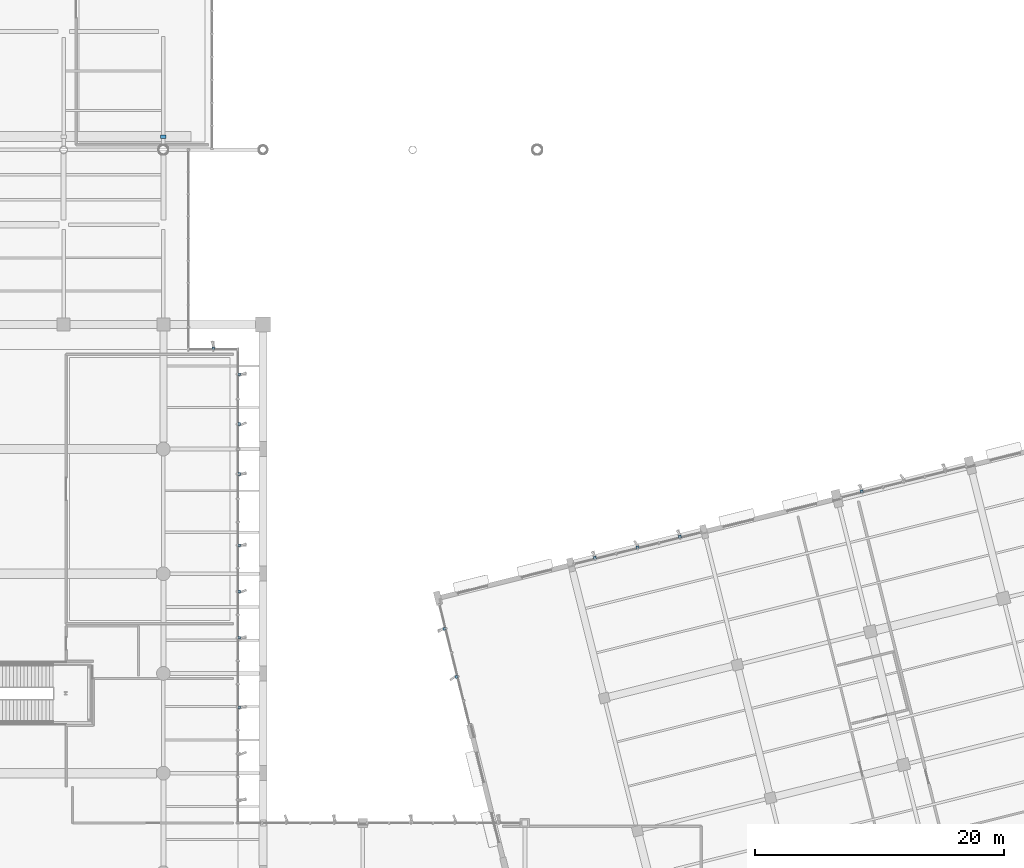
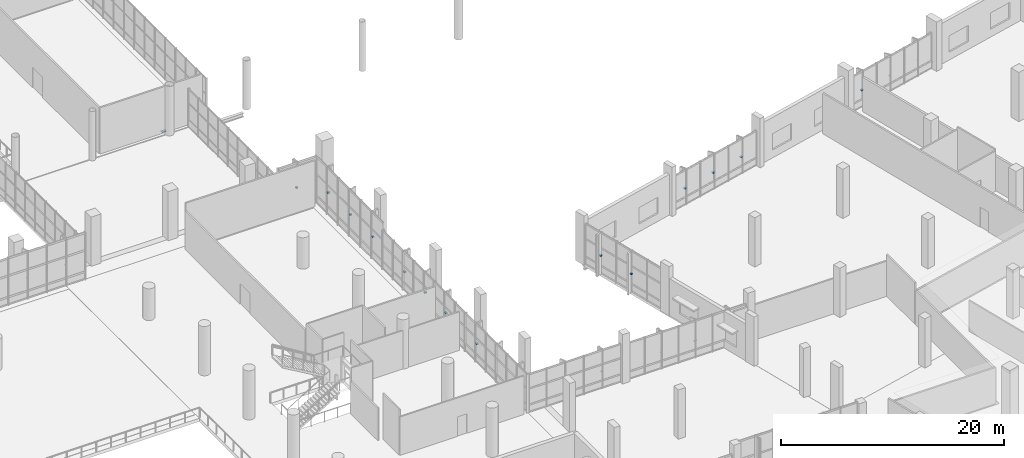
# One storey, part 157 of 176: 15 discrete accessories.
"""IFC4 building model written with IfcOpenShell, lengths in metres."""

import ifcopenshell
import ifcopenshell.guid

model = None  # the IFC model being written
_history = None  # IfcOwnerHistory: only IFC2X3 demands one
_inside = {}  # id of a spatial element -> (the spatial element, [elements in it])
_under = {}  # id of a project, library or spatial element -> (it, [spatial elements below it])
_declared = {}  # id of a project -> (the project, [libraries it declares])
_typed = {}  # id of a type object -> (the type object, [elements of that type])
_made_of = {}  # id of a material, layer set ... -> (it, [elements and type objects made of it])


def new_model(schema):
    """Start an empty IFC model of exactly this schema.

    Asked for "IFC4X3", IfcOpenShell would pick the latest addendum, in which some entities
    have other attributes; the version numbers below select the first issue.
    IFC2X3 requires an IfcOwnerHistory on every rooted entity: one is made here for all.
    """
    global model, _history
    if schema == "IFC4X3":
        model = ifcopenshell.file(schema_version=(4, 3, 0, 0))
    else:
        model = ifcopenshell.file(schema=schema)
    _inside.clear()
    _under.clear()
    _declared.clear()
    _typed.clear()
    _made_of.clear()
    _history = None
    if model.schema == "IFC2X3":
        org = make("IfcOrganization", Name="unknown")
        user = make(
            "IfcPersonAndOrganization",
            ThePerson=make("IfcPerson", FamilyName="unknown"),
            TheOrganization=org,
        )
        app = make(
            "IfcApplication",
            ApplicationDeveloper=org,
            Version="unknown",
            ApplicationFullName="unknown",
            ApplicationIdentifier="unknown",
        )
        _history = make(
            "IfcOwnerHistory",
            OwningUser=user,
            OwningApplication=app,
            ChangeAction="ADDED",
            CreationDate=0,
        )
    return model


def make(cls, **values):
    """One entity of the class cls with the attributes given. An attribute that is None is left unset."""
    return model.create_entity(
        cls, **{name: value for name, value in values.items() if value is not None}
    )


def rooted(cls, **values):
    """An entity with a GlobalId (a new one), such as an element, a storey or a relation."""
    return make(cls, GlobalId=ifcopenshell.guid.new(), OwnerHistory=_history, **values)


def si_unit(unit_type, name, prefix=None):
    """IfcSIUnit, for example si_unit("LENGTHUNIT", "METRE", prefix="MILLI")."""
    return make("IfcSIUnit", UnitType=unit_type, Prefix=prefix, Name=name)


def assignment(units):
    """IfcUnitAssignment: the units of a project."""
    return None if units is None else make("IfcUnitAssignment", Units=units)


def point(xyz):
    """IfcCartesianPoint."""
    return None if xyz is None else make("IfcCartesianPoint", Coordinates=xyz)


def direction(xyz):
    """IfcDirection."""
    return None if xyz is None else make("IfcDirection", DirectionRatios=xyz)


def frame(location, z_axis=None, x_axis=None):
    """IfcAxis2Placement3D, a coordinate frame: its origin and axes. An axis left out is left unset."""
    return make(
        "IfcAxis2Placement3D",
        Location=point(location),
        Axis=direction(z_axis),
        RefDirection=direction(x_axis),
    )


def frame_2d(location, x_axis=None):
    """IfcAxis2Placement2D, a coordinate frame in the plane: its origin and x axis."""
    return make(
        "IfcAxis2Placement2D", Location=point(location), RefDirection=direction(x_axis)
    )


def origin():
    """The frame at (0, 0, 0) with its axes left unset."""
    return frame((0.0, 0.0, 0.0))


def origin_2d():
    """The frame at (0, 0) in the plane with its x axis left unset."""
    return frame_2d((0.0, 0.0))


def place(relative_to, where):
    """IfcLocalPlacement: puts the frame where relative to a parent placement (None: the world)."""
    return make(
        "IfcLocalPlacement", PlacementRelTo=relative_to, RelativePlacement=where
    )


def context(
    kind, dimensions, precision=None, world=None, true_north=None, identifier=None
):
    """IfcGeometricRepresentationContext, for example the 3D "Model" context."""
    return make(
        "IfcGeometricRepresentationContext",
        ContextIdentifier=identifier,
        ContextType=kind,
        CoordinateSpaceDimension=dimensions,
        Precision=precision,
        WorldCoordinateSystem=world,
        TrueNorth=true_north,
    )


def subcontext(parent, identifier, kind, view, scale=None):
    """IfcGeometricRepresentationSubContext, for example "Body" below "Model"."""
    return make(
        "IfcGeometricRepresentationSubContext",
        ContextIdentifier=identifier,
        ContextType=kind,
        ParentContext=parent,
        TargetScale=scale,
        TargetView=view,
    )


def project(units=None, contexts=None):
    """IfcProject with its units and contexts."""
    return rooted(
        "IfcProject",
        Name="project",
        RepresentationContexts=contexts,
        UnitsInContext=assignment(units),
    )


def spatial(cls, under=None, at=None, **own):
    """A site, building, storey or space (cls), placed at a placement, below another one or the project."""
    s = rooted(cls, ObjectPlacement=at, **own)
    if under is not None:
        _under.setdefault(under.id(), (under, []))[1].append(s)
    return s


def profile(cls, at=None, kind="AREA", **sizes):
    """A parametric profile (cls). Its sizes go by their IFC names, for example OverallWidth=200.0."""
    return make(cls, ProfileType=kind, Position=at, **sizes)


def rectangle(**sizes):
    """IfcRectangleProfileDef."""
    return profile("IfcRectangleProfileDef", **sizes)


def extrude(swept, where, along, depth):
    """IfcExtrudedAreaSolid: the profile swept, set in the frame where, extruded along a direction by depth."""
    return make(
        "IfcExtrudedAreaSolid",
        SweptArea=swept,
        Position=where,
        ExtrudedDirection=direction(along),
        Depth=depth,
    )


def shape(context_of_items, identifier, shape_type, items):
    """IfcShapeRepresentation: the items that make up one representation, for example the "Body"."""
    return make(
        "IfcShapeRepresentation",
        ContextOfItems=context_of_items,
        RepresentationIdentifier=identifier,
        RepresentationType=shape_type,
        Items=items,
    )


def material(Name=None, Category=None):
    """IfcMaterial."""
    return make("IfcMaterial", Name=Name, Category=Category)


def made_of(thing, what):
    """Note that an element or type object is made of a material, layer set ...; save() writes the relation."""
    if what is not None:
        _made_of.setdefault(what.id(), (what, []))[1].append(thing)
    return thing


def type_object(cls, material=None, **own):
    """A type object (cls), such as IfcWallType, which elements share."""
    return made_of(rooted(cls, **own), material)


def element(
    cls,
    number,
    at=None,
    inside=None,
    cuts=None,
    type_object=None,
    material=None,
    context=None,
    identifier="Body",
    shape_type=None,
    held_by="IfcProductDefinitionShape",
    body=None,
    shapes=None,
    **own,
):
    """One element of the class cls, such as IfcWall. Its Tag is "e" and its number.

    at: its placement. inside: the storey or other place that contains it. cuts: it is an
    opening in that element (IfcRelVoidsElement). A single representation is given by context,
    identifier, shape_type and body (its items); several are given by shapes. held_by: the class
    of the entity that holds the representations. save() writes the other relations.
    """
    e = rooted(cls, Tag="e%d" % number, ObjectPlacement=at, **own)
    if body is not None:
        shapes = [shape(context, identifier, shape_type, body)]
    if shapes is not None:
        e.Representation = make(held_by, Representations=shapes)
    if inside is not None:
        _inside.setdefault(inside.id(), (inside, []))[1].append(e)
    if cuts is not None:
        rooted(
            "IfcRelVoidsElement", RelatingBuildingElement=cuts, RelatedOpeningElement=e
        )
    if type_object is not None:
        _typed.setdefault(type_object.id(), (type_object, []))[1].append(e)
    return made_of(e, material)


def aggregate(whole, parts):
    """IfcRelAggregates: a whole, such as a stair, and the parts it consists of."""
    return rooted("IfcRelAggregates", RelatingObject=whole, RelatedObjects=parts)


def save(model, path):
    """Write the relations noted so far, then the file.

    IfcRelAggregates (storeys below a building ...), IfcRelContainedInSpatialStructure (elements
    in a storey), IfcRelDefinesByType, IfcRelAssociatesMaterial and IfcRelDeclares: one each for
    every whole, place, type object, material and project.
    """
    for whole, parts in _under.values():
        aggregate(whole, parts)
    for where, things in _inside.values():
        rooted(
            "IfcRelContainedInSpatialStructure",
            RelatedElements=things,
            RelatingStructure=where,
        )
    for kind, things in _typed.values():
        rooted("IfcRelDefinesByType", RelatedObjects=things, RelatingType=kind)
    for what, things in _made_of.values():
        rooted("IfcRelAssociatesMaterial", RelatedObjects=things, RelatingMaterial=what)
    for by, libraries in _declared.values():
        rooted("IfcRelDeclares", RelatingContext=by, RelatedDefinitions=libraries)
    model.write(path)


model = new_model("IFC4")

# Units and contexts
model_context = context("Model", 3, precision=1e-05, world=origin(), true_north=direction((0.0, 1.0)))
body_context = subcontext(model_context, "Body", "Model", "MODEL_VIEW")
ifc_project = project(units=[si_unit("LENGTHUNIT", "METRE"), si_unit("AREAUNIT", "SQUARE_METRE"), si_unit("VOLUMEUNIT", "CUBIC_METRE"), si_unit("PLANEANGLEUNIT", "RADIAN"), si_unit("MASSUNIT", "GRAM", prefix="KILO")], contexts=[model_context])

# Site, building, storey
site_placement = place(None, origin())
site = spatial("IfcSite", under=ifc_project, at=site_placement, CompositionType="ELEMENT")
building_placement = place(site_placement, origin())
building = spatial("IfcBuilding", under=site, at=building_placement, Name="Khorjan Park Terminus", CompositionType="ELEMENT")
storey_placement = place(building_placement, frame((0.0, 0.0, 6.0)))
storey = spatial("IfcBuildingStorey", under=building, at=storey_placement, Name="L01", CompositionType="ELEMENT", Elevation=6.0)

# Discrete accessories
ifc_material = material(Name="Steel S355", Category="steel")
discrete_accessory_type_1 = type_object("IfcDiscreteAccessoryType", Name="ACC-BRK-FIN", PredefinedType="BRACKET", material=ifc_material)
for number, where, z_axis, x_axis, name in (
    (1, (132.0, 86.09, 2.2475), (0.0, 0.0, 1.0), (-1.0, 0.0, 0.0), "Solar fin structural bracket BK-01 (CW-V2-N-L01-08-1)"),
    (2, (134.09, 57.2857, 1.8267), (0.0, 0.0, 1.0), (0.0, 1.0, 0.0), "Solar fin structural bracket BK-01 (CW-V2-E-L01-02-5)"),
    (3, (134.09, 62.8571, 1.8492), (0.0, 0.0, 1.0), (0.0, 1.0, 0.0), "Solar fin structural bracket BK-01 (CW-V2-E-L01-03-1)"),
    (4, (134.09, 66.5714, 1.8492), (0.0, 0.0, 1.0), (0.0, 1.0, 0.0), "Solar fin structural bracket BK-01 (CW-V2-E-L01-03-3)"),
    (5, (134.09, 70.2857, 1.8492), (0.0, 0.0, 1.0), (0.0, 1.0, 0.0), "Solar fin structural bracket BK-01 (CW-V2-E-L01-03-5)"),
    (6, (134.09, 76.0, 2.2475), (0.0, 0.0, 1.0), (0.0, 1.0, 0.0), "Solar fin structural bracket BK-01 (CW-V2-E-L01-04-1)"),
    (7, (134.09, 80.0, 2.2475), (0.0, 0.0, 1.0), (0.0, 1.0, 0.0), "Solar fin structural bracket BK-01 (CW-V2-E-L01-04-3)"),
    (8, (134.09, 84.0, 2.2475), (0.0, 0.0, 1.0), (0.0, 1.0, 0.0), "Solar fin structural bracket BK-01 (CW-V2-E-L01-04-5)"),
    (9, (184.0235, 74.607, 1.7008), (0.0, 0.0, 1.0), (-0.970295910648, -0.241921156122, 0.0), "Solar fin structural bracket BK-01 (CW-V5-N-L01-B03-5)"),
    (10, (169.4305, 70.9685, 1.6648), (0.0, 0.0, 1.0), (-0.970298556262, -0.241910544861, 0.0), "Solar fin structural bracket BK-01 (CW-V5-N-L01-B05-1)"),
    (11, (166.0213, 70.1185, 1.6648), (0.0, 0.0, 1.0), (-0.970298556262, -0.241910544861, 0.0), "Solar fin structural bracket BK-01 (CW-V5-N-L01-B05-3)"),
    (12, (162.6121, 69.2686, 1.6648), (0.0, 0.0, 1.0), (-0.970298556262, -0.241910544861, 0.0), "Solar fin structural bracket BK-01 (CW-V5-N-L01-B05-5)"),
    (13, (150.555, 63.5749, 1.9573), (0.0, 0.0, 1.0), (0.241913063893, -0.970297928225, 0.0), "Solar fin structural bracket BK-01 (CW-V5-W-L01-B01-1)"),
    (14, (151.5169, 59.7167, 1.9573), (0.0, 0.0, 1.0), (0.241913063893, -0.970297928225, 0.0), "Solar fin structural bracket BK-01 (CW-V5-W-L01-B01-3)"),
):
    element("IfcDiscreteAccessory", number, at=place(storey_placement, frame(where, z_axis=z_axis, x_axis=x_axis)), inside=storey, type_object=discrete_accessory_type_1, Name=name, PredefinedType="BRACKET", context=body_context, shape_type="SweptSolid", body=[
        extrude(rectangle(XDim=0.22, YDim=0.22, at=origin_2d()), origin(), (0.0, 0.0, 1.0), 0.14),
    ])
discrete_accessory_type_2 = type_object("IfcDiscreteAccessoryType", Name="ACC-SHOE-PTFE", PredefinedType="SHOE", material=ifc_material)
discrete_accessory_placement = place(storey_placement, frame((128.0, 103.06, -0.44), z_axis=(0.0, 0.0, 1.0), x_axis=(1.0, 0.0, 0.0)))
element("IfcDiscreteAccessory", 15, at=discrete_accessory_placement, inside=storey, type_object=discrete_accessory_type_2, Name="Bridge movement-joint PTFE elastomeric sliding bearing BRG-01 (6)", PredefinedType="SHOE", context=body_context, shape_type="SweptSolid", body=[
    extrude(rectangle(XDim=0.45, YDim=0.3, at=origin_2d()), origin(), (0.0, 0.0, 1.0), 0.08),
])

save(model, "model.ifc")
